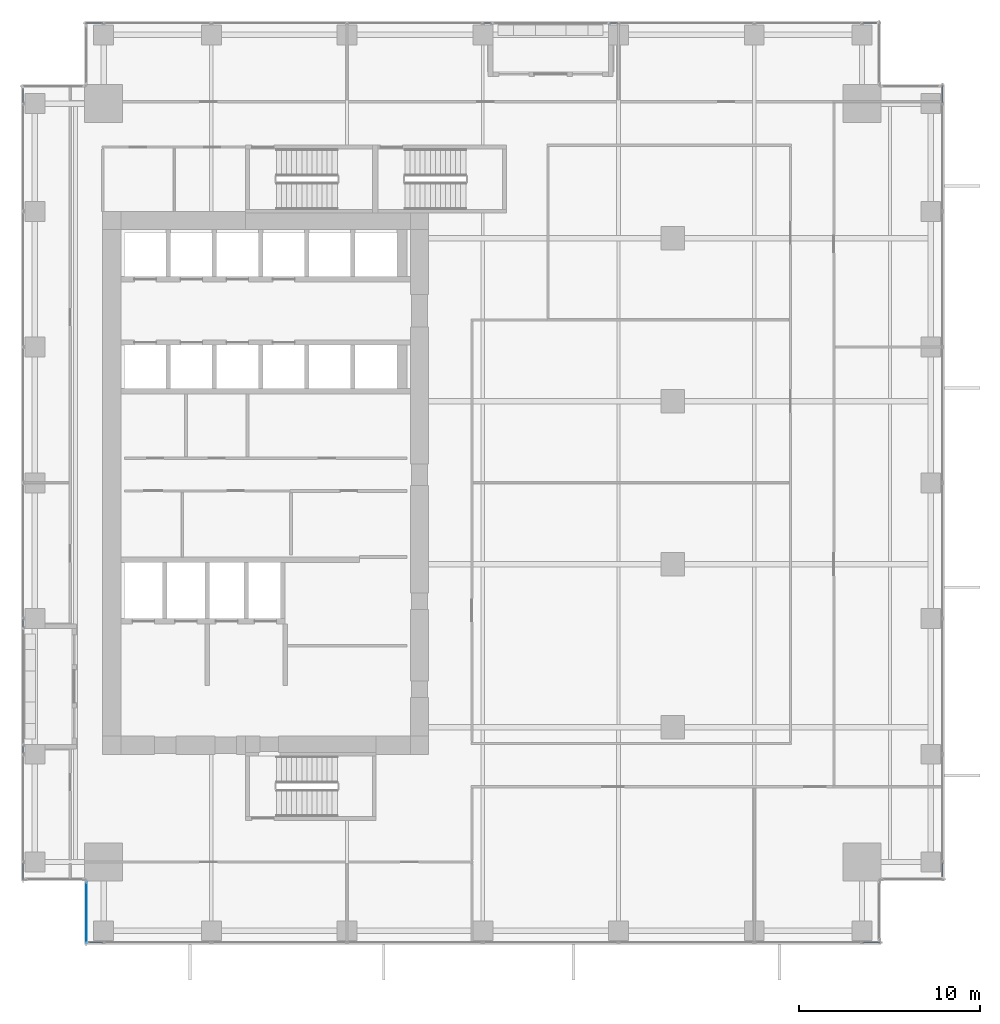
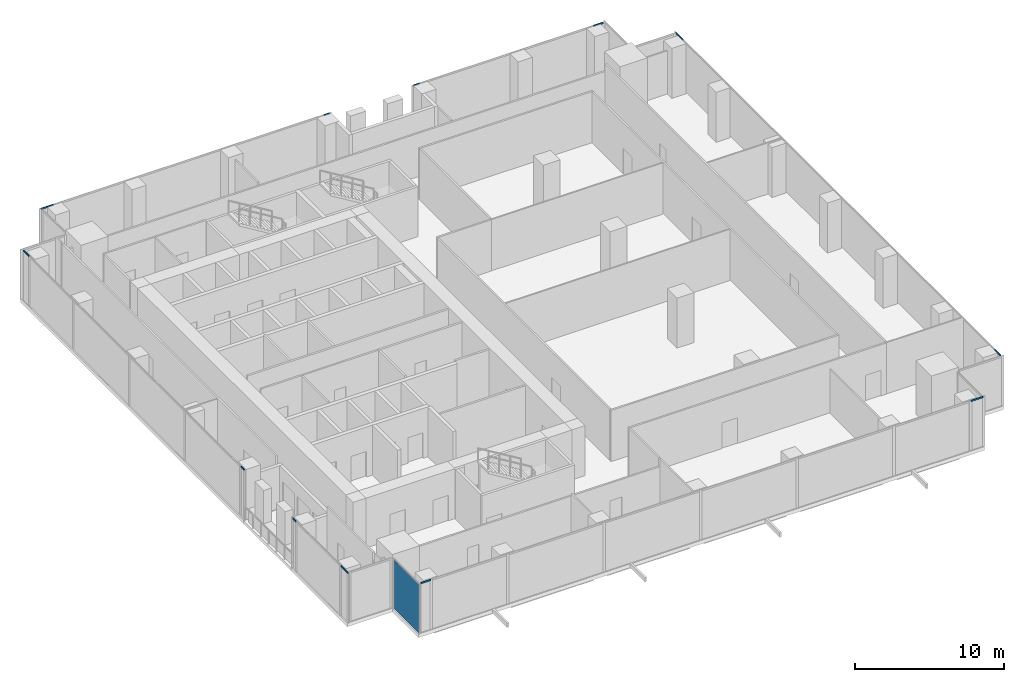
# One storey, part 22 of 34: 12 members, 1 plate, 7 elements without a shape of their own.
"""IFC4 building model written with IfcOpenShell, lengths in metres."""

from ifc_helpers import new_model, si_unit, direction, frame, origin, origin_2d, place, context, subcontext, project, spatial, rectangle, hollow_rectangle, extrude, source, transform, mapped, material, layer, layer_set, material_profile, profile_set, type_object, element, aggregate, save


model = new_model("IFC4")

# Units and contexts
model_context = context("Model", 3, precision=1e-05, world=origin(), true_north=direction((0.0, 1.0)))
body_context = subcontext(model_context, "Body", "Model", "MODEL_VIEW")
ifc_project = project(units=[si_unit("LENGTHUNIT", "METRE"), si_unit("AREAUNIT", "SQUARE_METRE"), si_unit("VOLUMEUNIT", "CUBIC_METRE"), si_unit("PLANEANGLEUNIT", "RADIAN"), si_unit("MASSUNIT", "GRAM", prefix="KILO")], contexts=[model_context])

# Site, building, storey
site_placement = place(None, origin())
site = spatial("IfcSite", under=ifc_project, at=site_placement, CompositionType="ELEMENT")
building_placement = place(site_placement, origin())
building = spatial("IfcBuilding", under=site, at=building_placement, Name="Khomas Fold Tower", CompositionType="ELEMENT")
storey_placement = place(building_placement, frame((0.0, 0.0, 123.5)))
storey = spatial("IfcBuildingStorey", under=building, at=storey_placement, Name="L26", CompositionType="ELEMENT", Elevation=123.5)

# Curtain wall, member
ifc_material_1 = material(Name="Aluminium framed double glazing", Category="aluminium")
curtain_wall_type = type_object("IfcCurtainWallType", Name="SK-Unitised clear-glass wall, growing floors CW1", PredefinedType="NOTDEFINED", material=ifc_material_1)
curtain_wall_1_placement = place(storey_placement, origin())
curtain_wall_1 = element("IfcCurtainWall", 1, at=curtain_wall_1_placement, inside=storey, type_object=curtain_wall_type, Name="CW1 run L26 00-0", PredefinedType="NOTDEFINED")
ifc_material_2 = material(Name="Aluminium", Category="aluminium")
ifc_material_profile = material_profile(ifc_material_2, hollow_rectangle(XDim=0.06005859375, YDim=0.1201171875, WallThickness=0.00390625, at=origin_2d()), Name="SK-Unitised clear-glass wall, growing floors transom CW1-T")
ifc_profile_set = profile_set([ifc_material_profile], Name="Aluminium")
member_type = type_object("IfcMemberType", Name="SK-Unitised clear-glass wall, growing floors transom CW1-T", PredefinedType="USERDEFINED", material=ifc_profile_set)
shared_shape_1 = source(origin(), body_context, "Body", "SweptSolid", [
    extrude(hollow_rectangle(XDim=0.06005859375, YDim=0.1201171875, WallThickness=0.00390625, at=origin_2d()), origin(), (0.0, 0.0, 1.0), 0.760009765625),
])
member_1_placement = place(storey_placement, frame((5.260009765625, 1.60009765625, 4.0400390625), z_axis=(1.0, 0.0, 0.0), x_axis=(0.0, 1.0, 0.0)))
member_1 = element("IfcMember", 2, at=member_1_placement, type_object=member_type, Name="CW1 transom 1", ObjectType="TRANSOM", PredefinedType="USERDEFINED", context=body_context, shape_type="MappedRepresentation", body=[
    mapped(shared_shape_1, transform((0.0, 0.0, 0.0))),
])

curtain_wall_2_placement = place(storey_placement, origin())
curtain_wall_2 = element("IfcCurtainWall", 3, at=curtain_wall_2_placement, inside=storey, type_object=curtain_wall_type, Name="CW1 run L26 03-0", PredefinedType="NOTDEFINED")
member_2_placement = place(storey_placement, frame((52.39990234375, 5.260009765625, 4.0400390625), z_axis=(0.0, 1.0, 0.0), x_axis=(-1.0, 0.0, 0.0)))
member_2 = element("IfcMember", 4, at=member_2_placement, type_object=member_type, Name="CW1 transom 1", ObjectType="TRANSOM", PredefinedType="USERDEFINED", context=body_context, shape_type="MappedRepresentation", body=[
    mapped(shared_shape_1, transform((0.0, 0.0, 0.0))),
])

curtain_wall_3_placement = place(storey_placement, origin())
curtain_wall_3 = element("IfcCurtainWall", 5, at=curtain_wall_3_placement, inside=storey, type_object=curtain_wall_type, Name="CW1 run L26 06-0", PredefinedType="NOTDEFINED")
member_3_placement = place(storey_placement, frame((48.739990234375, 52.39990234375, 4.0400390625), z_axis=(-1.0, 0.0, 0.0), x_axis=(0.0, -1.0, 0.0)))
member_3 = element("IfcMember", 6, at=member_3_placement, type_object=member_type, Name="CW1 transom 1", ObjectType="TRANSOM", PredefinedType="USERDEFINED", context=body_context, shape_type="MappedRepresentation", body=[
    mapped(shared_shape_1, transform((0.0, 0.0, 0.0))),
])

curtain_wall_4_placement = place(storey_placement, origin())
curtain_wall_4 = element("IfcCurtainWall", 7, at=curtain_wall_4_placement, inside=storey, type_object=curtain_wall_type, Name="CW1 run L26 09-0", PredefinedType="NOTDEFINED")
member_4_placement = place(storey_placement, frame((1.60009765625, 48.739990234375, 4.0400390625), z_axis=(0.0, -1.0, 0.0), x_axis=(1.0, 0.0, 0.0)))
member_4 = element("IfcMember", 8, at=member_4_placement, type_object=member_type, Name="CW1 transom 1", ObjectType="TRANSOM", PredefinedType="USERDEFINED", context=body_context, shape_type="MappedRepresentation", body=[
    mapped(shared_shape_1, transform((0.0, 0.0, 0.0))),
])

# Member
shared_shape_2 = source(origin(), body_context, "Body", "SweptSolid", [
    extrude(hollow_rectangle(XDim=0.06005859375, YDim=0.1201171875, WallThickness=0.00390625, at=origin_2d()), origin(), (0.0, 0.0, 1.0), 0.9599609375),
])
member_5_placement = place(storey_placement, frame((47.97998046875, 1.60009765625, 4.0400390625), z_axis=(1.0, 0.0, 0.0), x_axis=(0.0, 1.0, 0.0)))
member_5 = element("IfcMember", 9, at=member_5_placement, type_object=member_type, Name="CW1 transom 8", ObjectType="TRANSOM", PredefinedType="USERDEFINED", context=body_context, shape_type="MappedRepresentation", body=[
    mapped(shared_shape_2, transform((0.0, 0.0, 0.0))),
])

aggregate(curtain_wall_1, [member_1, member_5])

member_6_placement = place(storey_placement, frame((52.39990234375, 47.97998046875, 4.0400390625), z_axis=(0.0, 1.0, 0.0), x_axis=(-1.0, 0.0, 0.0)))
member_6 = element("IfcMember", 10, at=member_6_placement, type_object=member_type, Name="CW1 transom 8", ObjectType="TRANSOM", PredefinedType="USERDEFINED", context=body_context, shape_type="MappedRepresentation", body=[
    mapped(shared_shape_2, transform((0.0, 0.0, 0.0))),
])

aggregate(curtain_wall_2, [member_2, member_6])

# Curtain wall, member
curtain_wall_5_placement = place(storey_placement, origin())
curtain_wall_5 = element("IfcCurtainWall", 11, at=curtain_wall_5_placement, inside=storey, type_object=curtain_wall_type, Name="CW1 run L26 06-1", PredefinedType="NOTDEFINED")
member_7_placement = place(storey_placement, frame((6.02001953125, 52.39990234375, 4.0400390625), z_axis=(-1.0, 0.0, 0.0), x_axis=(0.0, -1.0, 0.0)))
member_7 = element("IfcMember", 12, at=member_7_placement, type_object=member_type, Name="CW1 transom 5", ObjectType="TRANSOM", PredefinedType="USERDEFINED", context=body_context, shape_type="MappedRepresentation", body=[
    mapped(shared_shape_2, transform((0.0, 0.0, 0.0))),
])

curtain_wall_6_placement = place(storey_placement, origin())
curtain_wall_6 = element("IfcCurtainWall", 13, at=curtain_wall_6_placement, inside=storey, type_object=curtain_wall_type, Name="CW1 run L26 09-1", PredefinedType="NOTDEFINED")
member_8_placement = place(storey_placement, frame((1.60009765625, 6.02001953125, 4.0400390625), z_axis=(0.0, -1.0, 0.0), x_axis=(1.0, 0.0, 0.0)))
member_8 = element("IfcMember", 14, at=member_8_placement, type_object=member_type, Name="CW1 transom 3", ObjectType="TRANSOM", PredefinedType="USERDEFINED", context=body_context, shape_type="MappedRepresentation", body=[
    mapped(shared_shape_2, transform((0.0, 0.0, 0.0))),
])

# Member
shared_shape_3 = source(origin(), body_context, "Body", "SweptSolid", [
    extrude(hollow_rectangle(XDim=0.06005859375, YDim=0.1201171875, WallThickness=0.00390625, at=origin_2d()), origin(), (0.0, 0.0, 1.0), 0.4599609375),
])
member_9_placement = place(storey_placement, frame((34.469970703125, 52.39990234375, 4.0400390625), z_axis=(-1.0, 0.0, 0.0), x_axis=(0.0, -1.0, 0.0)))
member_9 = element("IfcMember", 15, at=member_9_placement, type_object=member_type, Name="CW1 transom 4", ObjectType="TRANSOM", PredefinedType="USERDEFINED", context=body_context, shape_type="MappedRepresentation", body=[
    mapped(shared_shape_3, transform((0.0, 0.0, 0.0))),
])

aggregate(curtain_wall_3, [member_3, member_9])

member_10_placement = place(storey_placement, frame((27.489990234375, 52.39990234375, 4.0400390625), z_axis=(-1.0, 0.0, 0.0), x_axis=(0.0, -1.0, 0.0)))
member_10 = element("IfcMember", 16, at=member_10_placement, type_object=member_type, Name="CW1 transom 1", ObjectType="TRANSOM", PredefinedType="USERDEFINED", context=body_context, shape_type="MappedRepresentation", body=[
    mapped(shared_shape_3, transform((0.0, 0.0, 0.0))),
])

aggregate(curtain_wall_5, [member_10, member_7])

member_11_placement = place(storey_placement, frame((1.60009765625, 19.469970703125, 4.0400390625), z_axis=(0.0, -1.0, 0.0), x_axis=(1.0, 0.0, 0.0)))
member_11 = element("IfcMember", 17, at=member_11_placement, type_object=member_type, Name="CW1 transom 6", ObjectType="TRANSOM", PredefinedType="USERDEFINED", context=body_context, shape_type="MappedRepresentation", body=[
    mapped(shared_shape_3, transform((0.0, 0.0, 0.0))),
])

aggregate(curtain_wall_4, [member_4, member_11])

member_12_placement = place(storey_placement, frame((1.60009765625, 12.489990234375, 4.0400390625), z_axis=(0.0, -1.0, 0.0), x_axis=(1.0, 0.0, 0.0)))
member_12 = element("IfcMember", 18, at=member_12_placement, type_object=member_type, Name="CW1 transom 1", ObjectType="TRANSOM", PredefinedType="USERDEFINED", context=body_context, shape_type="MappedRepresentation", body=[
    mapped(shared_shape_3, transform((0.0, 0.0, 0.0))),
])

aggregate(curtain_wall_6, [member_12, member_8])

# Curtain wall, plate
curtain_wall_7_placement = place(storey_placement, origin())
curtain_wall_7 = element("IfcCurtainWall", 19, at=curtain_wall_7_placement, inside=storey, type_object=curtain_wall_type, Name="CW1 corner return L26 11", PredefinedType="NOTDEFINED")
ifc_material_3 = material(Name="Clear double glazed unit")
ifc_layer = layer(ifc_material_3, 0.031982421875)
ifc_layer_set = layer_set([ifc_layer], Name="Clear double glazed unit")
plate_type = type_object("IfcPlateType", Name="SK-Unitised clear-glass wall, growing floors glass panel CW1-P", PredefinedType="CURTAIN_PANEL", material=ifc_layer_set)
shared_shape_4 = source(origin(), body_context, "Body", "SweptSolid", [
    extrude(rectangle(XDim=3.3798828125, YDim=0.031982421875, at=origin_2d()), origin(), (0.0, 0.0, 1.0), 3.97998046875),
])
plate_placement = place(storey_placement, frame((5.10009765625, 3.25, 0.0), z_axis=(0.0, 0.0, 1.0), x_axis=(0.0, -1.0, 0.0)))
plate = element("IfcPlate", 20, at=plate_placement, type_object=plate_type, Name="CW1 glass panel 1", PredefinedType="CURTAIN_PANEL", context=body_context, shape_type="MappedRepresentation", body=[
    mapped(shared_shape_4, transform((0.0, 0.0, 0.0))),
])
aggregate(curtain_wall_7, [plate])

save(model, "model.ifc")
